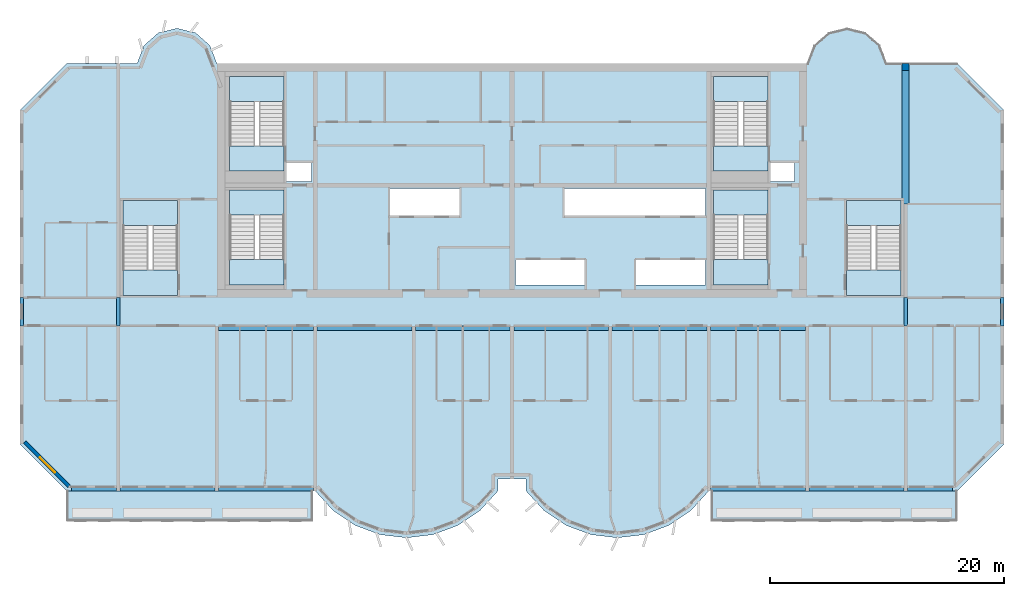
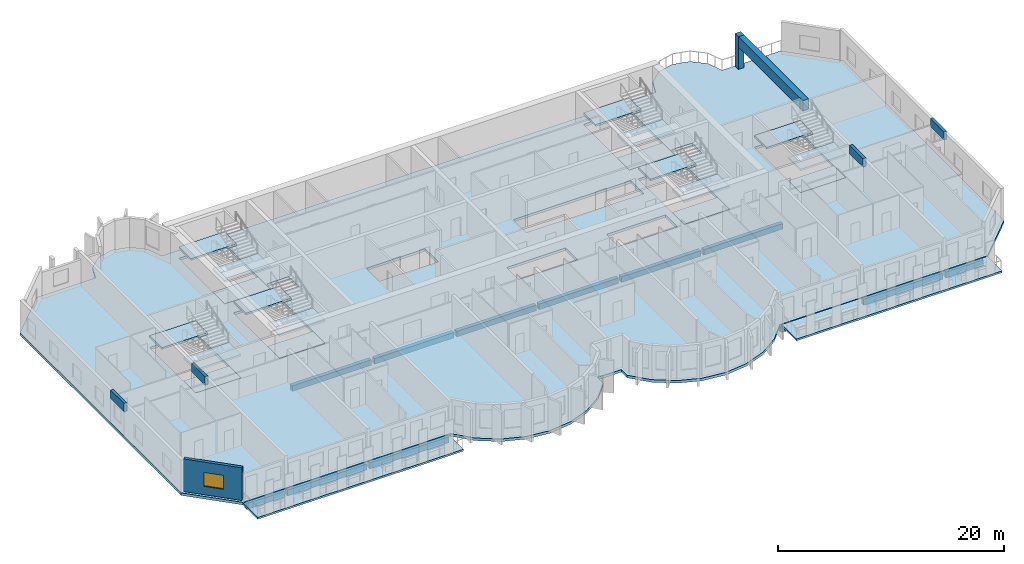
# One storey, part 1 of 13: 21 slabs, 17 beams, 1 column, 1 wall, 1 window, 1 opening, 6 elements without a shape of their own.
"""IFC4 building model written with IfcOpenShell, lengths in metres."""

from ifc_helpers import new_model, si_unit, direction, frame, frame_2d, origin, origin_2d, place, context, subcontext, project, spatial, polyline, rectangle, outline, extrude, source, transform, mapped, material, layer, layer_set, material_profile, profile_set, type_object, element, fill, aggregate, save


model = new_model("IFC4")

# Units and contexts
model_context = context("Model", 3, precision=1e-05, world=origin(), true_north=direction((0.0, 1.0)))
body_context = subcontext(model_context, "Body", "Model", "MODEL_VIEW")
ifc_project = project(units=[si_unit("LENGTHUNIT", "METRE"), si_unit("AREAUNIT", "SQUARE_METRE"), si_unit("VOLUMEUNIT", "CUBIC_METRE"), si_unit("PLANEANGLEUNIT", "RADIAN"), si_unit("MASSUNIT", "GRAM", prefix="KILO")], contexts=[model_context])

# Site, building, storey
site_placement = place(None, origin())
site = spatial("IfcSite", under=ifc_project, at=site_placement, CompositionType="ELEMENT")
building_placement = place(site_placement, origin())
building = spatial("IfcBuilding", under=site, at=building_placement, Name="Vanashikhar Sky Hotel", CompositionType="ELEMENT")
storey_placement = place(building_placement, frame((0.0, 0.0, 155.39990234375)))
storey = spatial("IfcBuildingStorey", under=building, at=storey_placement, Name="L37", CompositionType="ELEMENT", Elevation=155.39990234375)

# Column
ifc_material_1 = material(Name="Concrete M60", Category="concrete")
ifc_material_profile_1 = material_profile(ifc_material_1, rectangle(XDim=0.60009765625, YDim=0.60009765625, at=origin_2d()))
ifc_profile_set_1 = profile_set([ifc_material_profile_1], Name="RC 600x600 column Concrete M60")
column_type = type_object("IfcColumnType", Name="RC 600x600 column Concrete M60", PredefinedType="COLUMN", material=ifc_profile_set_1)
shared_shape_1 = source(origin(), body_context, "Body", "SweptSolid", [
    extrude(rectangle(XDim=0.60009765625, YDim=0.60009765625, at=origin_2d()), origin(), (0.0, 0.0, 1.0), 3.52001953125),
])
column_placement = place(storey_placement, frame((84.0, 41.699951171875, 0.0), z_axis=(0.0, 0.0, 1.0), x_axis=(1.0, 0.0, 0.0)))
element("IfcColumn", 1, at=column_placement, inside=storey, type_object=column_type, Name="CL-L37-CRF", PredefinedType="COLUMN", context=body_context, shape_type="MappedRepresentation", body=[
    mapped(shared_shape_1, transform((0.0, 0.0, 0.0), scale=1.0)),
])

# Beams
ifc_material_2 = material(Name="Concrete M50", Category="concrete")
ifc_material_profile_2 = material_profile(ifc_material_2, rectangle(XDim=0.60009765625, YDim=1.10009765625, at=origin_2d()))
ifc_profile_set_2 = profile_set([ifc_material_profile_2], Name="RC 600x1100 beam Concrete M50")
beam_type_1 = type_object("IfcBeamType", Name="RC 600x1100 beam Concrete M50", PredefinedType="BEAM", material=ifc_profile_set_2)
shared_shape_2 = source(origin(), body_context, "Body", "SweptSolid", [
    extrude(rectangle(XDim=0.60009765625, YDim=1.10009765625, at=origin_2d()), origin(), (0.0, 0.0, 1.0), 11.39990234375),
])
beam_1_placement = place(storey_placement, frame((84.0, 30.0, 2.97021484375), z_axis=(0.0, 1.0, 0.0), x_axis=(-1.0, 0.0, 0.0)))
element("IfcBeam", 2, at=beam_1_placement, inside=storey, type_object=beam_type_1, Name="LB-L37-XW11-O1", PredefinedType="BEAM", context=body_context, shape_type="MappedRepresentation", body=[
    mapped(shared_shape_2, transform((0.0, 0.0, 0.0), scale=1.0)),
])
ifc_material_profile_3 = material_profile(ifc_material_2, rectangle(XDim=0.300048828125, YDim=0.89990234375, at=origin_2d()))
ifc_profile_set_3 = profile_set([ifc_material_profile_3], Name="RC 300x900 beam Concrete M50")
beam_type_2 = type_object("IfcBeamType", Name="RC 300x900 beam Concrete M50", PredefinedType="LINTEL", material=ifc_profile_set_3)
shared_shape_3 = source(origin(), body_context, "Body", "SweptSolid", [
    extrude(rectangle(XDim=0.300048828125, YDim=0.89990234375, at=origin_2d()), origin(), (0.0, 0.0, 1.0), 2.39990234375),
])
for number, where, z_axis, x_axis, name in (
    (3, (8.550048828125, 19.60009765625, 3.070068359375), (0.0, 1.0, 0.0), (-1.0, 0.0, 0.0), "LB-L37-XW02"),
    (4, (16.800048828125, 19.60009765625, 3.070068359375), (0.0, 1.0, 0.0), (-1.0, 0.0, 0.0), "LB-L37-XW03"),
    (5, (84.0, 19.60009765625, 3.070068359375), (0.0, 1.0, 0.0), (-1.0, 0.0, 0.0), "LB-L37-XW11"),
    (6, (92.25, 19.60009765625, 3.070068359375), (0.0, 1.0, 0.0), (-1.0, 0.0, 0.0), "LB-L37-XW12"),
):
    element("IfcBeam", number, at=place(storey_placement, frame(where, z_axis=z_axis, x_axis=x_axis)), inside=storey, type_object=beam_type_2, Name=name, PredefinedType="LINTEL", context=body_context, shape_type="MappedRepresentation", body=[
        mapped(shared_shape_3, transform((0.0, 0.0, 0.0), scale=1.0)),
    ])
ifc_material_profile_4 = material_profile(ifc_material_2, rectangle(XDim=0.39990234375, YDim=0.64990234375, at=origin_2d()))
ifc_profile_set_4 = profile_set([ifc_material_profile_4], Name="RC 400x650 beam Concrete M50")
beam_type_3 = type_object("IfcBeamType", Name="RC 400x650 beam Concrete M50", PredefinedType="BEAM", material=ifc_profile_set_4)
shared_shape_4 = source(origin(), body_context, "Body", "SweptSolid", [
    extrude(rectangle(XDim=0.39990234375, YDim=0.64990234375, at=origin_2d()), origin(), (0.0, 0.0, 1.0), 8.10009765625),
])
for number, where, z_axis, x_axis, name in (
    (7, (16.949951171875, 5.699951171875, -0.60498046875), (1.0, 0.0, 0.0), (0.0, 1.0, 0.0), "EB-L37-F01"),
    (8, (75.75, 5.699951171875, -0.60498046875), (1.0, 0.0, 0.0), (0.0, 1.0, 0.0), "EB-L37-F05"),
):
    element("IfcBeam", number, at=place(storey_placement, frame(where, z_axis=z_axis, x_axis=x_axis)), inside=storey, type_object=beam_type_3, Name=name, PredefinedType="BEAM", context=body_context, shape_type="MappedRepresentation", body=[
        mapped(shared_shape_4, transform((0.0, 0.0, 0.0), scale=1.0)),
    ])
shared_shape_5 = source(origin(), body_context, "Body", "SweptSolid", [
    extrude(rectangle(XDim=0.39990234375, YDim=0.64990234375, at=origin_2d()), origin(), (0.0, 0.0, 1.0), 8.099853515625),
])
for number, where, z_axis, x_axis, name in (
    (9, (25.35009765625, 5.699951171875, -0.60498046875), (1.0, 0.0, 0.0), (0.0, 1.0, 0.0), "EB-L37-F02"),
    (10, (67.35009765625, 5.699951171875, -0.60498046875), (1.0, 0.0, 0.0), (0.0, 1.0, 0.0), "EB-L37-F04"),
):
    element("IfcBeam", number, at=place(storey_placement, frame(where, z_axis=z_axis, x_axis=x_axis)), inside=storey, type_object=beam_type_3, Name=name, PredefinedType="BEAM", context=body_context, shape_type="MappedRepresentation", body=[
        mapped(shared_shape_5, transform((0.0, 0.0, 0.0), scale=1.0)),
    ])
ifc_material_profile_5 = material_profile(ifc_material_2, rectangle(XDim=0.39990234375, YDim=0.64990234375, at=origin_2d()))
ifc_profile_set_5 = profile_set([ifc_material_profile_5], Name="RC 400x650 cantilever beam Concrete M50")
beam_type_4 = type_object("IfcBeamType", Name="RC 400x650 cantilever beam Concrete M50", PredefinedType="SPANDREL", material=ifc_profile_set_5)
shared_shape_6 = source(origin(), body_context, "Body", "SweptSolid", [
    extrude(rectangle(XDim=0.39990234375, YDim=0.64990234375, at=origin_2d()), origin(), (0.0, 0.0, 1.0), 3.849853515625),
])
beam_2_placement = place(storey_placement, frame((12.800048828125, 5.699951171875, -0.60498046875), z_axis=(1.0, 0.0, 0.0), x_axis=(0.0, 1.0, 0.0)))
element("IfcBeam", 11, at=beam_2_placement, inside=storey, type_object=beam_type_4, Name="EB-L37-F03", PredefinedType="SPANDREL", context=body_context, shape_type="MappedRepresentation", body=[
    mapped(shared_shape_6, transform((0.0, 0.0, 0.0), scale=1.0)),
])
shared_shape_7 = source(origin(), body_context, "Body", "SweptSolid", [
    extrude(rectangle(XDim=0.39990234375, YDim=0.64990234375, at=origin_2d()), origin(), (0.0, 0.0, 1.0), 3.85009765625),
])
beam_3_placement = place(storey_placement, frame((84.14990234375, 5.699951171875, -0.60498046875), z_axis=(1.0, 0.0, 0.0), x_axis=(0.0, 1.0, 0.0)))
element("IfcBeam", 12, at=beam_3_placement, inside=storey, type_object=beam_type_4, Name="EB-L37-F06", PredefinedType="SPANDREL", context=body_context, shape_type="MappedRepresentation", body=[
    mapped(shared_shape_7, transform((0.0, 0.0, 0.0), scale=1.0)),
])
ifc_material_profile_6 = material_profile(ifc_material_2, rectangle(XDim=0.39990234375, YDim=0.60009765625, at=origin_2d()))
ifc_profile_set_6 = profile_set([ifc_material_profile_6], Name="RC 400x600 beam Concrete M50")
beam_type_5 = type_object("IfcBeamType", Name="RC 400x600 beam Concrete M50", PredefinedType="BEAM", material=ifc_profile_set_6)
shared_shape_8 = source(origin(), body_context, "Body", "SweptSolid", [
    extrude(rectangle(XDim=0.39990234375, YDim=0.60009765625, at=origin_2d()), origin(), (0.0, 0.0, 1.0), 8.099853515625),
])
for number, where, z_axis, x_axis, name in (
    (13, (25.35009765625, 19.39990234375, -0.579833984375), (1.0, 0.0, 0.0), (0.0, 1.0, 0.0), "CB-L37-01"),
    (14, (50.550048828125, 19.39990234375, -0.579833984375), (1.0, 0.0, 0.0), (0.0, 1.0, 0.0), "CB-L37-04"),
    (15, (67.35009765625, 19.39990234375, -0.579833984375), (1.0, 0.0, 0.0), (0.0, 1.0, 0.0), "CB-L37-06"),
):
    element("IfcBeam", number, at=place(storey_placement, frame(where, z_axis=z_axis, x_axis=x_axis)), inside=storey, type_object=beam_type_5, Name=name, PredefinedType="BEAM", context=body_context, shape_type="MappedRepresentation", body=[
        mapped(shared_shape_8, transform((0.0, 0.0, 0.0), scale=1.0)),
    ])
shared_shape_9 = source(origin(), body_context, "Body", "SweptSolid", [
    extrude(rectangle(XDim=0.39990234375, YDim=0.60009765625, at=origin_2d()), origin(), (0.0, 0.0, 1.0), 8.10009765625),
])
for number, where, z_axis, x_axis, name in (
    (16, (33.75, 19.39990234375, -0.579833984375), (1.0, 0.0, 0.0), (0.0, 1.0, 0.0), "CB-L37-02"),
    (17, (42.14990234375, 19.39990234375, -0.579833984375), (1.0, 0.0, 0.0), (0.0, 1.0, 0.0), "CB-L37-03"),
    (18, (58.949951171875, 19.39990234375, -0.579833984375), (1.0, 0.0, 0.0), (0.0, 1.0, 0.0), "CB-L37-05"),
):
    element("IfcBeam", number, at=place(storey_placement, frame(where, z_axis=z_axis, x_axis=x_axis)), inside=storey, type_object=beam_type_5, Name=name, PredefinedType="BEAM", context=body_context, shape_type="MappedRepresentation", body=[
        mapped(shared_shape_9, transform((0.0, 0.0, 0.0), scale=1.0)),
    ])

# Slabs
ifc_material_3 = material(Name="Concrete M40", Category="concrete")
ifc_layer_1 = layer(ifc_material_3, 0.280029296875)
ifc_layer_set_1 = layer_set([ifc_layer_1], Name="Floor slab 280 mm")
slab_type_1 = type_object("IfcSlabType", Name="Floor slab 280 mm", PredefinedType="FLOOR", material=ifc_layer_set_1)
shared_shape_10 = source(origin(), body_context, "Body", "SweptSolid", [
    extrude(outline(polyline([(49.199951171875, 5.5), (49.199951171875, 6.5), (51.60009765625, 6.5), (51.60009765625, 5.5), (53.133056640625, 3.825927734375), (55.01708984375, 2.55810546875), (57.14599609375, 1.76806640625), (59.39990234375, 1.5), (61.654052734375, 1.76806640625), (63.782958984375, 2.55810546875), (65.6669921875, 3.825927734375), (67.199951171875, 5.5), (88.39990234375, 5.5), (92.39990234375, 9.5), (92.39990234375, 38.0), (88.39990234375, 42.0), (82.39990234375, 42.0), (81.81494140625, 43.527099609375), (80.587890625, 44.610107421875), (79.0, 45.0), (77.412109375, 44.610107421875), (76.18505859375, 43.527099609375), (75.60009765625, 42.0), (25.199951171875, 42.0), (24.614990234375, 43.527099609375), (23.387939453125, 44.610107421875), (21.800048828125, 45.0), (20.2119140625, 44.610107421875), (18.985107421875, 43.527099609375), (18.39990234375, 42.0), (12.39990234375, 42.0), (8.39990234375, 38.0), (8.39990234375, 9.5), (12.39990234375, 5.5), (33.60009765625, 5.5), (35.133056640625, 3.825927734375), (37.01708984375, 2.55810546875), (39.14599609375, 1.76806640625), (41.39990234375, 1.5), (43.654052734375, 1.76806640625), (45.782958984375, 2.55810546875), (47.6669921875, 3.825927734375), (49.199951171875, 5.5)]), holes=[polyline([(33.300048828125, 33.60009765625), (31.050048828125, 33.60009765625), (31.050048828125, 31.89990234375), (33.300048828125, 31.89990234375), (33.300048828125, 33.60009765625)]), polyline([(39.89990234375, 31.300048828125), (39.89990234375, 29.0), (45.89990234375, 29.0), (45.89990234375, 31.300048828125), (39.89990234375, 31.300048828125)]), polyline([(50.699951171875, 25.199951171875), (50.699951171875, 23.10009765625), (56.699951171875, 23.10009765625), (56.699951171875, 25.199951171875), (50.699951171875, 25.199951171875)]), polyline([(66.89990234375, 29.0), (66.89990234375, 31.300048828125), (54.89990234375, 31.300048828125), (54.89990234375, 29.0), (66.89990234375, 29.0)]), polyline([(60.89990234375, 25.199951171875), (60.89990234375, 23.10009765625), (66.89990234375, 23.10009765625), (66.89990234375, 25.199951171875), (60.89990234375, 25.199951171875)]), polyline([(74.5, 33.60009765625), (72.35009765625, 33.60009765625), (72.35009765625, 31.89990234375), (74.5, 31.89990234375), (74.5, 33.60009765625)]), polyline([(30.949951171875, 23.10009765625), (30.949951171875, 31.199951171875), (26.300048828125, 31.199951171875), (26.300048828125, 23.10009765625), (30.949951171875, 23.10009765625)]), polyline([(72.25, 23.10009765625), (72.25, 31.199951171875), (67.60009765625, 31.199951171875), (67.60009765625, 23.10009765625), (72.25, 23.10009765625)]), polyline([(30.949951171875, 32.800048828125), (30.949951171875, 40.89990234375), (26.300048828125, 40.89990234375), (26.300048828125, 32.800048828125), (30.949951171875, 32.800048828125)]), polyline([(72.25, 32.800048828125), (72.25, 40.89990234375), (67.60009765625, 40.89990234375), (67.60009765625, 32.800048828125), (72.25, 32.800048828125)]), polyline([(83.60009765625, 22.199951171875), (83.60009765625, 30.300048828125), (78.949951171875, 30.300048828125), (78.949951171875, 22.199951171875), (83.60009765625, 22.199951171875)]), polyline([(21.85009765625, 22.199951171875), (21.85009765625, 30.300048828125), (17.199951171875, 30.300048828125), (17.199951171875, 22.199951171875), (21.85009765625, 22.199951171875)])]), origin(), (0.0, 0.0, 1.0), 0.27978515625),
])
slab_1_placement = place(storey_placement, frame((0.0, 0.0, -0.27978515625)))
element("IfcSlab", 19, at=slab_1_placement, inside=storey, type_object=slab_type_1, Name="Floor slab L37", PredefinedType="FLOOR", context=body_context, shape_type="MappedRepresentation", body=[
    mapped(shared_shape_10, transform((0.0, 0.0, 0.0), scale=1.0)),
])
ifc_layer_2 = layer(ifc_material_3, 0.199951171875)
ifc_layer_set_2 = layer_set([ifc_layer_2], Name="Balcony slab 200 mm")
slab_type_2 = type_object("IfcSlabType", Name="Balcony slab 200 mm", PredefinedType="USERDEFINED", material=ifc_layer_set_2)
shared_shape_11 = source(origin(), body_context, "Body", "SweptSolid", [
    extrude(outline(polyline([(12.39990234375, 2.89990234375), (33.39990234375, 2.89990234375), (33.39990234375, 5.5), (12.39990234375, 5.5), (12.39990234375, 2.89990234375)])), origin(), (0.0, 0.0, 1.0), 0.2001953125),
])
slab_2_placement = place(storey_placement, frame((0.0, 0.0, -0.25)))
element("IfcSlab", 20, at=slab_2_placement, inside=storey, type_object=slab_type_2, Name="Balcony slab L37 1", ObjectType="BALCONY", PredefinedType="USERDEFINED", context=body_context, shape_type="MappedRepresentation", body=[
    mapped(shared_shape_11, transform((0.0, 0.0, 0.0), scale=1.0)),
])
shared_shape_12 = source(origin(), body_context, "Body", "SweptSolid", [
    extrude(outline(polyline([(67.39990234375, 2.89990234375), (88.39990234375, 2.89990234375), (88.39990234375, 5.5), (67.39990234375, 5.5), (67.39990234375, 2.89990234375)])), origin(), (0.0, 0.0, 1.0), 0.2001953125),
])
slab_3_placement = place(storey_placement, frame((0.0, 0.0, -0.25)))
element("IfcSlab", 21, at=slab_3_placement, inside=storey, type_object=slab_type_2, Name="Balcony slab L37 2", ObjectType="BALCONY", PredefinedType="USERDEFINED", context=body_context, shape_type="MappedRepresentation", body=[
    mapped(shared_shape_12, transform((0.0, 0.0, 0.0), scale=1.0)),
])

# Stair, slabs
stair_type = type_object("IfcStairType", Name="Exit stair 2150", PredefinedType="DOUBLE_RETURN_STAIR", material=ifc_material_3)
stair_1_placement = place(storey_placement, origin())
stair_1 = element("IfcStair", 22, at=stair_1_placement, inside=storey, type_object=stair_type, Name="L37 Exit stair 1", PredefinedType="DOUBLE_RETURN_STAIR")
ifc_layer_3 = layer(ifc_material_3, 0.199951171875)
ifc_layer_set_3 = layer_set([ifc_layer_3], Name="Stair landing 200")
slab_type_3 = type_object("IfcSlabType", Name="Stair landing 200", PredefinedType="LANDING", material=ifc_layer_set_3)
shared_shape_13 = source(origin(), body_context, "Body", "SweptSolid", [
    extrude(outline(polyline([(30.949951171875, 23.10009765625), (30.949951171875, 25.25), (26.300048828125, 25.25), (26.300048828125, 23.10009765625), (30.949951171875, 23.10009765625)])), origin(), (0.0, 0.0, 1.0), 0.199951171875),
])
slab_4_placement = place(storey_placement, frame((0.0, 0.0, 2.33349609375)))
slab_4 = element("IfcSlab", 23, at=slab_4_placement, type_object=slab_type_3, Name="ST-C1 landing 2", PredefinedType="LANDING", context=body_context, shape_type="MappedRepresentation", body=[
    mapped(shared_shape_13, transform((0.0, 0.0, 0.0), scale=1.0)),
])
shared_shape_14 = source(origin(), body_context, "Body", "SweptSolid", [
    extrude(outline(polyline([(30.949951171875, 29.050048828125), (30.949951171875, 31.199951171875), (26.300048828125, 31.199951171875), (26.300048828125, 29.050048828125), (30.949951171875, 29.050048828125)])), origin(), (0.0, 0.0, 1.0), 0.2001953125),
])
slab_5_placement = place(storey_placement, frame((0.0, 0.0, 1.066650390625)))
slab_5 = element("IfcSlab", 24, at=slab_5_placement, type_object=slab_type_3, Name="ST-C1 landing 1", PredefinedType="LANDING", context=body_context, shape_type="MappedRepresentation", body=[
    mapped(shared_shape_14, transform((0.0, 0.0, 0.0), scale=1.0)),
])
aggregate(stair_1, [slab_5, slab_4])

# Slab
ifc_layer_4 = layer(ifc_material_3, 0.280029296875)
ifc_layer_set_4 = layer_set([ifc_layer_4], Name="Stair floor landing 280")
slab_type_4 = type_object("IfcSlabType", Name="Stair floor landing 280", PredefinedType="LANDING", material=ifc_layer_set_4)
shared_shape_15 = source(origin(), body_context, "Body", "SweptSolid", [
    extrude(outline(polyline([(30.949951171875, 23.10009765625), (30.949951171875, 25.25), (26.300048828125, 25.25), (26.300048828125, 23.10009765625), (30.949951171875, 23.10009765625)])), origin(), (0.0, 0.0, 1.0), 0.27978515625),
])
slab_6_placement = place(storey_placement, frame((0.0, 0.0, -0.27978515625)))
element("IfcSlab", 25, at=slab_6_placement, inside=storey, type_object=slab_type_4, Name="Exit stair 1 floor landing", PredefinedType="LANDING", context=body_context, shape_type="MappedRepresentation", body=[
    mapped(shared_shape_15, transform((0.0, 0.0, 0.0), scale=1.0)),
])

# Stair, slabs
stair_2_placement = place(storey_placement, origin())
stair_2 = element("IfcStair", 26, at=stair_2_placement, inside=storey, type_object=stair_type, Name="L37 Exit stair 2", PredefinedType="DOUBLE_RETURN_STAIR")
shared_shape_16 = source(origin(), body_context, "Body", "SweptSolid", [
    extrude(outline(polyline([(72.25, 23.10009765625), (72.25, 25.25), (67.60009765625, 25.25), (67.60009765625, 23.10009765625), (72.25, 23.10009765625)])), origin(), (0.0, 0.0, 1.0), 0.199951171875),
])
slab_7_placement = place(storey_placement, frame((0.0, 0.0, 2.33349609375)))
slab_7 = element("IfcSlab", 27, at=slab_7_placement, type_object=slab_type_3, Name="ST-C2 landing 2", PredefinedType="LANDING", context=body_context, shape_type="MappedRepresentation", body=[
    mapped(shared_shape_16, transform((0.0, 0.0, 0.0), scale=1.0)),
])
shared_shape_17 = source(origin(), body_context, "Body", "SweptSolid", [
    extrude(outline(polyline([(72.25, 29.050048828125), (72.25, 31.199951171875), (67.60009765625, 31.199951171875), (67.60009765625, 29.050048828125), (72.25, 29.050048828125)])), origin(), (0.0, 0.0, 1.0), 0.2001953125),
])
slab_8_placement = place(storey_placement, frame((0.0, 0.0, 1.066650390625)))
slab_8 = element("IfcSlab", 28, at=slab_8_placement, type_object=slab_type_3, Name="ST-C2 landing 1", PredefinedType="LANDING", context=body_context, shape_type="MappedRepresentation", body=[
    mapped(shared_shape_17, transform((0.0, 0.0, 0.0), scale=1.0)),
])
aggregate(stair_2, [slab_8, slab_7])

# Slab
shared_shape_18 = source(origin(), body_context, "Body", "SweptSolid", [
    extrude(outline(polyline([(72.25, 23.10009765625), (72.25, 25.25), (67.60009765625, 25.25), (67.60009765625, 23.10009765625), (72.25, 23.10009765625)])), origin(), (0.0, 0.0, 1.0), 0.27978515625),
])
slab_9_placement = place(storey_placement, frame((0.0, 0.0, -0.27978515625)))
element("IfcSlab", 29, at=slab_9_placement, inside=storey, type_object=slab_type_4, Name="Exit stair 2 floor landing", PredefinedType="LANDING", context=body_context, shape_type="MappedRepresentation", body=[
    mapped(shared_shape_18, transform((0.0, 0.0, 0.0), scale=1.0)),
])

# Stair, slabs
stair_3_placement = place(storey_placement, origin())
stair_3 = element("IfcStair", 30, at=stair_3_placement, inside=storey, type_object=stair_type, Name="L37 Exit stair 3", PredefinedType="DOUBLE_RETURN_STAIR")
shared_shape_19 = source(origin(), body_context, "Body", "SweptSolid", [
    extrude(outline(polyline([(21.85009765625, 22.199951171875), (21.85009765625, 24.35009765625), (17.199951171875, 24.35009765625), (17.199951171875, 22.199951171875), (21.85009765625, 22.199951171875)])), origin(), (0.0, 0.0, 1.0), 0.199951171875),
])
slab_10_placement = place(storey_placement, frame((0.0, 0.0, 2.33349609375)))
slab_10 = element("IfcSlab", 31, at=slab_10_placement, type_object=slab_type_3, Name="ST-W landing 2", PredefinedType="LANDING", context=body_context, shape_type="MappedRepresentation", body=[
    mapped(shared_shape_19, transform((0.0, 0.0, 0.0), scale=1.0)),
])
shared_shape_20 = source(origin(), body_context, "Body", "SweptSolid", [
    extrude(outline(polyline([(21.85009765625, 28.14990234375), (21.85009765625, 30.300048828125), (17.199951171875, 30.300048828125), (17.199951171875, 28.14990234375), (21.85009765625, 28.14990234375)])), origin(), (0.0, 0.0, 1.0), 0.2001953125),
])
slab_11_placement = place(storey_placement, frame((0.0, 0.0, 1.066650390625)))
slab_11 = element("IfcSlab", 32, at=slab_11_placement, type_object=slab_type_3, Name="ST-W landing 1", PredefinedType="LANDING", context=body_context, shape_type="MappedRepresentation", body=[
    mapped(shared_shape_20, transform((0.0, 0.0, 0.0), scale=1.0)),
])
aggregate(stair_3, [slab_11, slab_10])

# Slab
shared_shape_21 = source(origin(), body_context, "Body", "SweptSolid", [
    extrude(outline(polyline([(21.85009765625, 22.199951171875), (21.85009765625, 24.35009765625), (17.199951171875, 24.35009765625), (17.199951171875, 22.199951171875), (21.85009765625, 22.199951171875)])), origin(), (0.0, 0.0, 1.0), 0.27978515625),
])
slab_12_placement = place(storey_placement, frame((0.0, 0.0, -0.27978515625)))
element("IfcSlab", 33, at=slab_12_placement, inside=storey, type_object=slab_type_4, Name="Exit stair 3 floor landing", PredefinedType="LANDING", context=body_context, shape_type="MappedRepresentation", body=[
    mapped(shared_shape_21, transform((0.0, 0.0, 0.0), scale=1.0)),
])

# Stair, slabs
stair_4_placement = place(storey_placement, origin())
stair_4 = element("IfcStair", 34, at=stair_4_placement, inside=storey, type_object=stair_type, Name="L37 Exit stair 4", PredefinedType="DOUBLE_RETURN_STAIR")
shared_shape_22 = source(origin(), body_context, "Body", "SweptSolid", [
    extrude(outline(polyline([(83.60009765625, 22.199951171875), (83.60009765625, 24.35009765625), (78.949951171875, 24.35009765625), (78.949951171875, 22.199951171875), (83.60009765625, 22.199951171875)])), origin(), (0.0, 0.0, 1.0), 0.199951171875),
])
slab_13_placement = place(storey_placement, frame((0.0, 0.0, 2.33349609375)))
slab_13 = element("IfcSlab", 35, at=slab_13_placement, type_object=slab_type_3, Name="ST-E landing 2", PredefinedType="LANDING", context=body_context, shape_type="MappedRepresentation", body=[
    mapped(shared_shape_22, transform((0.0, 0.0, 0.0), scale=1.0)),
])
shared_shape_23 = source(origin(), body_context, "Body", "SweptSolid", [
    extrude(outline(polyline([(83.60009765625, 28.14990234375), (83.60009765625, 30.300048828125), (78.949951171875, 30.300048828125), (78.949951171875, 28.14990234375), (83.60009765625, 28.14990234375)])), origin(), (0.0, 0.0, 1.0), 0.2001953125),
])
slab_14_placement = place(storey_placement, frame((0.0, 0.0, 1.066650390625)))
slab_14 = element("IfcSlab", 36, at=slab_14_placement, type_object=slab_type_3, Name="ST-E landing 1", PredefinedType="LANDING", context=body_context, shape_type="MappedRepresentation", body=[
    mapped(shared_shape_23, transform((0.0, 0.0, 0.0), scale=1.0)),
])
aggregate(stair_4, [slab_14, slab_13])

# Slab
shared_shape_24 = source(origin(), body_context, "Body", "SweptSolid", [
    extrude(outline(polyline([(83.60009765625, 22.199951171875), (83.60009765625, 24.35009765625), (78.949951171875, 24.35009765625), (78.949951171875, 22.199951171875), (83.60009765625, 22.199951171875)])), origin(), (0.0, 0.0, 1.0), 0.27978515625),
])
slab_15_placement = place(storey_placement, frame((0.0, 0.0, -0.27978515625)))
element("IfcSlab", 37, at=slab_15_placement, inside=storey, type_object=slab_type_4, Name="Exit stair 4 floor landing", PredefinedType="LANDING", context=body_context, shape_type="MappedRepresentation", body=[
    mapped(shared_shape_24, transform((0.0, 0.0, 0.0), scale=1.0)),
])

# Stair, slabs
stair_5_placement = place(storey_placement, origin())
stair_5 = element("IfcStair", 38, at=stair_5_placement, inside=storey, type_object=stair_type, Name="L37 Exit stair 5", PredefinedType="DOUBLE_RETURN_STAIR")
shared_shape_25 = source(origin(), body_context, "Body", "SweptSolid", [
    extrude(outline(polyline([(30.949951171875, 32.800048828125), (30.949951171875, 34.949951171875), (26.300048828125, 34.949951171875), (26.300048828125, 32.800048828125), (30.949951171875, 32.800048828125)])), origin(), (0.0, 0.0, 1.0), 0.199951171875),
])
slab_16_placement = place(storey_placement, frame((0.0, 0.0, 2.33349609375)))
slab_16 = element("IfcSlab", 39, at=slab_16_placement, type_object=slab_type_3, Name="ST-C3 landing 2", PredefinedType="LANDING", context=body_context, shape_type="MappedRepresentation", body=[
    mapped(shared_shape_25, transform((0.0, 0.0, 0.0), scale=1.0)),
])
shared_shape_26 = source(origin(), body_context, "Body", "SweptSolid", [
    extrude(outline(polyline([(30.949951171875, 38.75), (30.949951171875, 40.89990234375), (26.300048828125, 40.89990234375), (26.300048828125, 38.75), (30.949951171875, 38.75)])), origin(), (0.0, 0.0, 1.0), 0.2001953125),
])
slab_17_placement = place(storey_placement, frame((0.0, 0.0, 1.066650390625)))
slab_17 = element("IfcSlab", 40, at=slab_17_placement, type_object=slab_type_3, Name="ST-C3 landing 1", PredefinedType="LANDING", context=body_context, shape_type="MappedRepresentation", body=[
    mapped(shared_shape_26, transform((0.0, 0.0, 0.0), scale=1.0)),
])
aggregate(stair_5, [slab_17, slab_16])

# Slab
shared_shape_27 = source(origin(), body_context, "Body", "SweptSolid", [
    extrude(outline(polyline([(30.949951171875, 32.800048828125), (30.949951171875, 34.949951171875), (26.300048828125, 34.949951171875), (26.300048828125, 32.800048828125), (30.949951171875, 32.800048828125)])), origin(), (0.0, 0.0, 1.0), 0.27978515625),
])
slab_18_placement = place(storey_placement, frame((0.0, 0.0, -0.27978515625)))
element("IfcSlab", 41, at=slab_18_placement, inside=storey, type_object=slab_type_4, Name="Exit stair 5 floor landing", PredefinedType="LANDING", context=body_context, shape_type="MappedRepresentation", body=[
    mapped(shared_shape_27, transform((0.0, 0.0, 0.0), scale=1.0)),
])

# Stair, slabs
stair_6_placement = place(storey_placement, origin())
stair_6 = element("IfcStair", 42, at=stair_6_placement, inside=storey, type_object=stair_type, Name="L37 Exit stair 6", PredefinedType="DOUBLE_RETURN_STAIR")
shared_shape_28 = source(origin(), body_context, "Body", "SweptSolid", [
    extrude(outline(polyline([(72.25, 32.800048828125), (72.25, 34.949951171875), (67.60009765625, 34.949951171875), (67.60009765625, 32.800048828125), (72.25, 32.800048828125)])), origin(), (0.0, 0.0, 1.0), 0.199951171875),
])
slab_19_placement = place(storey_placement, frame((0.0, 0.0, 2.33349609375)))
slab_19 = element("IfcSlab", 43, at=slab_19_placement, type_object=slab_type_3, Name="ST-C4 landing 2", PredefinedType="LANDING", context=body_context, shape_type="MappedRepresentation", body=[
    mapped(shared_shape_28, transform((0.0, 0.0, 0.0), scale=1.0)),
])
shared_shape_29 = source(origin(), body_context, "Body", "SweptSolid", [
    extrude(outline(polyline([(72.25, 38.75), (72.25, 40.89990234375), (67.60009765625, 40.89990234375), (67.60009765625, 38.75), (72.25, 38.75)])), origin(), (0.0, 0.0, 1.0), 0.2001953125),
])
slab_20_placement = place(storey_placement, frame((0.0, 0.0, 1.066650390625)))
slab_20 = element("IfcSlab", 44, at=slab_20_placement, type_object=slab_type_3, Name="ST-C4 landing 1", PredefinedType="LANDING", context=body_context, shape_type="MappedRepresentation", body=[
    mapped(shared_shape_29, transform((0.0, 0.0, 0.0), scale=1.0)),
])
aggregate(stair_6, [slab_20, slab_19])

# Slab
shared_shape_30 = source(origin(), body_context, "Body", "SweptSolid", [
    extrude(outline(polyline([(72.25, 32.800048828125), (72.25, 34.949951171875), (67.60009765625, 34.949951171875), (67.60009765625, 32.800048828125), (72.25, 32.800048828125)])), origin(), (0.0, 0.0, 1.0), 0.27978515625),
])
slab_21_placement = place(storey_placement, frame((0.0, 0.0, -0.27978515625)))
element("IfcSlab", 45, at=slab_21_placement, inside=storey, type_object=slab_type_4, Name="Exit stair 6 floor landing", PredefinedType="LANDING", context=body_context, shape_type="MappedRepresentation", body=[
    mapped(shared_shape_30, transform((0.0, 0.0, 0.0), scale=1.0)),
])

# Wall, opening, window
ifc_layer_5 = layer(ifc_material_2, 0.300048828125)
ifc_layer_set_5 = layer_set([ifc_layer_5], Name="Lobe wall 300")
wall_type = type_object("IfcWallType", Name="Lobe wall 300", PredefinedType="SOLIDWALL", material=ifc_layer_set_5)
shared_shape_31 = source(origin(), body_context, "Body", "SweptSolid", [
    extrude(rectangle(XDim=5.32568359375, YDim=0.300048828125, at=frame_2d((2.662841796875, 0.0))), origin(), (0.0, 0.0, 1.0), 3.52001953125),
])
wall_placement = place(storey_placement, frame((8.800048828125, 9.665771484375, 0.0), z_axis=(0.0, 0.0, 1.0), x_axis=(0.707083859269, -0.707129702361, 0.0)))
wall = element("IfcWall", 46, at=wall_placement, inside=storey, type_object=wall_type, Name="Corner wall", PredefinedType="SOLIDWALL", context=body_context, shape_type="MappedRepresentation", body=[
    mapped(shared_shape_31, transform((0.0, 0.0, 0.0), scale=1.0)),
])
shared_shape_32 = source(origin(), body_context, "Body", "SweptSolid", [
    extrude(rectangle(XDim=1.800048828125, YDim=1.5, at=frame_2d((0.89990234375, 0.75))), frame((0.0, 0.16015625, 0.0), z_axis=(0.0, -1.0, 0.0), x_axis=(1.0, 0.0, 0.0)), (0.0, 0.0, 1.0), 0.320068359375),
])
opening_placement = place(wall_placement, frame((1.8359375, 0.0, 0.89990234375)))
opening = element("IfcOpeningElement", 47, at=opening_placement, cuts=wall, Name="Opening WN-4", PredefinedType="OPENING", context=body_context, shape_type="MappedRepresentation", body=[
    mapped(shared_shape_32, transform((0.0, 0.0, 0.0), scale=1.0)),
])
ifc_material_4 = material(Name="Glass", Category="glass")
window_type = type_object("IfcWindowType", Name="Corner window 1800 x 1500", PartitioningType="SINGLE_PANEL", PredefinedType="WINDOW", material=ifc_material_4)
shared_shape_33 = source(origin(), body_context, "Body", "SweptSolid", [
    extrude(rectangle(XDim=1.800048828125, YDim=1.5, at=frame_2d((0.89990234375, 0.75))), frame((0.0, 0.030029296875, 0.0), z_axis=(0.0, -1.0, 0.0), x_axis=(1.0, 0.0, 0.0)), (0.0, 0.0, 1.0), 0.06005859375),
])
window_placement = place(opening_placement, origin())
window = element("IfcWindow", 48, at=window_placement, inside=storey, type_object=window_type, Name="Window WN-4", OverallHeight=1.5, OverallWidth=1.800048828125, PartitioningType="SINGLE_PANEL", PredefinedType="WINDOW", context=body_context, shape_type="MappedRepresentation", body=[
    mapped(shared_shape_33, transform((0.0, 0.0, 0.0), scale=1.0)),
])
fill(opening, window)

save(model, "model.ifc")
